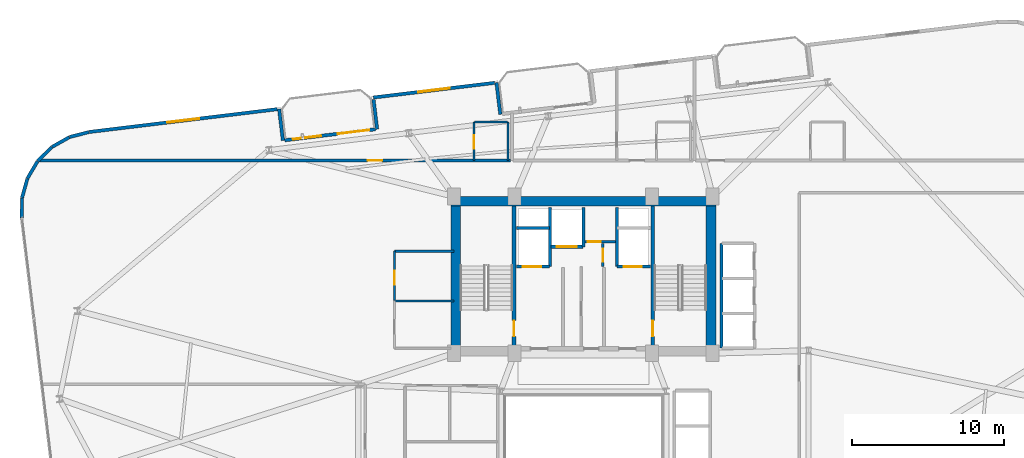
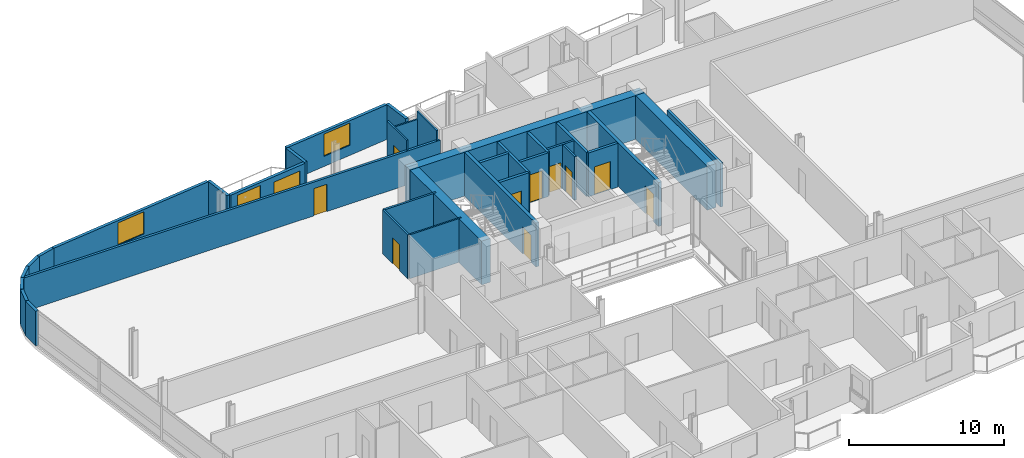
# One storey, part 17 of 23: 34 walls, 11 doors, 3 windows, 14 openings.
"""IFC4 building model written with IfcOpenShell, lengths in metres."""

from ifc_helpers import new_model, si_unit, direction, frame, frame_2d, origin, place, context, subcontext, project, spatial, rectangle, extrude, material, layer, layer_set, type_object, element, fill, save


model = new_model("IFC4")

# Units and contexts
model_context = context("Model", 3, precision=1e-05, world=origin(), true_north=direction((0.0, 1.0)))
body_context = subcontext(model_context, "Body", "Model", "MODEL_VIEW")
ifc_project = project(units=[si_unit("LENGTHUNIT", "METRE"), si_unit("AREAUNIT", "SQUARE_METRE"), si_unit("VOLUMEUNIT", "CUBIC_METRE"), si_unit("PLANEANGLEUNIT", "RADIAN"), si_unit("MASSUNIT", "GRAM", prefix="KILO")], contexts=[model_context])

# Site, building, storey
site_placement = place(None, origin())
site = spatial("IfcSite", under=ifc_project, at=site_placement, CompositionType="ELEMENT")
building_placement = place(site_placement, origin())
building = spatial("IfcBuilding", under=site, at=building_placement, Name="Varnelok Gate Tower", CompositionType="ELEMENT")
storey_placement = place(building_placement, frame((0.0, 0.0, 174.60009765625)))
storey = spatial("IfcBuildingStorey", under=building, at=storey_placement, Name="L44", CompositionType="ELEMENT", Elevation=174.60009765625)

# Wall, openings, door, window
ifc_material_1 = material(Name="Concrete C45/55", Category="concrete")
ifc_layer_1 = layer(ifc_material_1, 0.219970703125)
ifc_layer_set_1 = layer_set([ifc_layer_1], Name="Concrete C45/55")
wall_type_1 = type_object("IfcWallType", Name="EW-BALC-220", PredefinedType="SOLIDWALL", material=ifc_layer_set_1)
wall_1_placement = place(storey_placement, frame((19.556884765625, 42.7529296875, 0.0), z_axis=(0.0, 0.0, 1.0), x_axis=(0.992729951822, 0.120362962556, 0.0)))
wall_1 = element("IfcWall", 1, at=wall_1_placement, inside=storey, type_object=wall_type_1, Name="L44 North Terrace Envelope Wall 4", PredefinedType="SOLIDWALL", context=body_context, shape_type="SweptSolid", body=[
    extrude(rectangle(XDim=6.0, YDim=0.219970703125, at=frame_2d((3.0, 0.0))), origin(), (0.0, 0.0, 1.0), 2.72998046875),
])
opening_1_placement = place(wall_1_placement, frame((3.5, 0.0, 0.0)))
opening_1 = element("IfcOpeningElement", 2, at=opening_1_placement, cuts=wall_1, Name="Opening BD-2", PredefinedType="OPENING", context=body_context, shape_type="SweptSolid", body=[
    extrude(rectangle(XDim=2.10009765625, YDim=2.300048828125, at=frame_2d((1.050048828125, 1.14990234375))), frame((0.0, 0.119873046875, 0.0), z_axis=(0.0, -1.0, 0.0), x_axis=(1.0, 0.0, 0.0)), (0.0, 0.0, 1.0), 0.239990234375),
])
opening_2_placement = place(wall_1_placement, frame((0.550048828125, 0.0, 0.75)))
opening_2 = element("IfcOpeningElement", 3, at=opening_2_placement, cuts=wall_1, Name="Opening WN5", PredefinedType="OPENING", context=body_context, shape_type="SweptSolid", body=[
    extrude(rectangle(XDim=1.85009765625, YDim=1.75, at=frame_2d((0.925048828125, 0.875))), frame((0.0, 0.119873046875, 0.0), z_axis=(0.0, -1.0, 0.0), x_axis=(1.0, 0.0, 0.0)), (0.0, 0.0, 1.0), 0.239990234375),
])
ifc_material_2 = material(Name="Anodized Aluminum Alloy 6063-T6", Category="aluminium")
door_type_1 = type_object("IfcDoorType", Name="DR-EXT-SLID2100", OperationType="SLIDING_TO_LEFT", PredefinedType="DOOR", material=ifc_material_2)
door_1_placement = place(opening_1_placement, origin())
door_1 = element("IfcDoor", 4, at=door_1_placement, inside=storey, type_object=door_type_1, Name="L44 North Balcony Glazed Door 4", OperationType="SLIDING_TO_LEFT", OverallHeight=2.300048828125, OverallWidth=2.10009765625, PredefinedType="DOOR", context=body_context, shape_type="SweptSolid", body=[
    extrude(rectangle(XDim=2.10009765625, YDim=2.300048828125, at=frame_2d((1.050048828125, 1.14990234375))), frame((0.0, 0.02490234375, 0.0), z_axis=(0.0, -1.0, 0.0), x_axis=(1.0, 0.0, 0.0)), (0.0, 0.0, 1.0), 0.050048828125),
])
fill(opening_1, door_1)
ifc_material_3 = material(Name="Low-E Laminated Double Glazing IGU", Category="glass")
window_type_1 = type_object("IfcWindowType", Name="WN-RES-1850", PartitioningType="SINGLE_PANEL", PredefinedType="WINDOW", material=ifc_material_3)
window_1_placement = place(opening_2_placement, origin())
window_1 = element("IfcWindow", 5, at=window_1_placement, inside=storey, type_object=window_type_1, Name="L44 North Vision Window 4.1", OverallHeight=1.75, OverallWidth=1.85009765625, PartitioningType="SINGLE_PANEL", PredefinedType="WINDOW", context=body_context, shape_type="SweptSolid", body=[
    extrude(rectangle(XDim=1.85009765625, YDim=1.75, at=frame_2d((0.925048828125, 0.875))), frame((0.0, 0.030029296875, 0.0), z_axis=(0.0, -1.0, 0.0), x_axis=(1.0, 0.0, 0.0)), (0.0, 0.0, 1.0), 0.06005859375),
])
fill(opening_2, window_1)

# Wall
wall_2_placement = place(storey_placement, frame((33.734375, 44.46142578125, 0.0), z_axis=(0.0, 0.0, 1.0), x_axis=(-0.120327895535, 0.992734202874, 0.0)))
element("IfcWall", 6, at=wall_2_placement, inside=storey, type_object=wall_type_1, Name="L44 Perimeter Facade Closure Wall 34", PredefinedType="SOLIDWALL", context=body_context, shape_type="SweptSolid", body=[
    extrude(rectangle(XDim=2.099853515625, YDim=0.219970703125, at=frame_2d((1.0498046875, 0.0))), origin(), (0.0, 0.0, 1.0), 2.72998046875),
])

# Wall, opening, window
wall_3_placement = place(storey_placement, frame((33.357421875, 46.53125, 0.0), z_axis=(0.0, 0.0, 1.0), x_axis=(-0.992731032022, -0.120354052946, 0.0)))
wall_3 = element("IfcWall", 7, at=wall_3_placement, inside=storey, type_object=wall_type_1, Name="L44 Perimeter Facade Closure Wall 35", PredefinedType="SOLIDWALL", context=body_context, shape_type="SweptSolid", body=[
    extrude(rectangle(XDim=8.034912109375, YDim=0.219970703125, at=frame_2d((4.017578125, 0.0))), origin(), (0.0, 0.0, 1.0), 2.72998046875),
])
opening_3_placement = place(wall_3_placement, frame((2.967529296875, 0.0, 0.800048828125)))
opening_3 = element("IfcOpeningElement", 8, at=opening_3_placement, cuts=wall_3, Name="Opening WN4", PredefinedType="OPENING", context=body_context, shape_type="SweptSolid", body=[
    extrude(rectangle(XDim=2.10009765625, YDim=1.75, at=frame_2d((1.050048828125, 0.875))), frame((0.0, 0.119873046875, 0.0), z_axis=(0.0, -1.0, 0.0), x_axis=(1.0, 0.0, 0.0)), (0.0, 0.0, 1.0), 0.239990234375),
])
window_type_2 = type_object("IfcWindowType", Name="WN-SUI-2100", PartitioningType="SINGLE_PANEL", PredefinedType="WINDOW", material=ifc_material_3)
window_2_placement = place(opening_3_placement, origin())
window_2 = element("IfcWindow", 9, at=window_2_placement, inside=storey, type_object=window_type_2, Name="L44 Perimeter Vision Window 35", OverallHeight=1.75, OverallWidth=2.10009765625, PartitioningType="SINGLE_PANEL", PredefinedType="WINDOW", context=body_context, shape_type="SweptSolid", body=[
    extrude(rectangle(XDim=2.10009765625, YDim=1.75, at=frame_2d((1.050048828125, 0.875))), frame((0.0, 0.030029296875, 0.0), z_axis=(0.0, -1.0, 0.0), x_axis=(1.0, 0.0, 0.0)), (0.0, 0.0, 1.0), 0.06005859375),
])
fill(opening_3, window_2)

# Walls
wall_4_placement = place(storey_placement, frame((25.39599609375, 45.440185546875, 0.0), z_axis=(0.0, 0.0, 1.0), x_axis=(0.120275992932, -0.992740492538, 0.0)))
element("IfcWall", 10, at=wall_4_placement, inside=storey, type_object=wall_type_1, Name="L44 Perimeter Facade Closure Wall 36", PredefinedType="SOLIDWALL", context=body_context, shape_type="SweptSolid", body=[
    extrude(rectangle(XDim=1.97509765625, YDim=0.219970703125, at=frame_2d((0.987548828125, 0.0))), origin(), (0.0, 0.0, 1.0), 2.72998046875),
])
wall_5_placement = place(storey_placement, frame((19.43896484375, 42.728515625, 0.0), z_axis=(0.0, 0.0, 1.0), x_axis=(-0.120327895535, 0.992734202874, 0.0)))
element("IfcWall", 11, at=wall_5_placement, inside=storey, type_object=wall_type_1, Name="L44 Perimeter Facade Closure Wall 37", PredefinedType="SOLIDWALL", context=body_context, shape_type="SweptSolid", body=[
    extrude(rectangle(XDim=2.099853515625, YDim=0.219970703125, at=frame_2d((1.0498046875, 0.0))), origin(), (0.0, 0.0, 1.0), 2.72998046875),
])

# Wall, opening, window
wall_6_placement = place(storey_placement, frame((19.06201171875, 44.798095703125, 0.0), z_axis=(0.0, 0.0, 1.0), x_axis=(-0.992733569027, -0.120333124809, 0.0)))
wall_6 = element("IfcWall", 12, at=wall_6_placement, inside=storey, type_object=wall_type_1, Name="L44 Perimeter Facade Closure Wall 38", PredefinedType="SOLIDWALL", context=body_context, shape_type="SweptSolid", body=[
    extrude(rectangle(XDim=12.447021484375, YDim=0.219970703125, at=frame_2d((6.2236328125, 0.0))), origin(), (0.0, 0.0, 1.0), 2.72998046875),
])
opening_4_placement = place(wall_6_placement, frame((5.173583984375, 0.0, 0.800048828125)))
opening_4 = element("IfcOpeningElement", 13, at=opening_4_placement, cuts=wall_6, Name="Opening WN4", PredefinedType="OPENING", context=body_context, shape_type="SweptSolid", body=[
    extrude(rectangle(XDim=2.10009765625, YDim=1.75, at=frame_2d((1.050048828125, 0.875))), frame((0.0, 0.119873046875, 0.0), z_axis=(0.0, -1.0, 0.0), x_axis=(1.0, 0.0, 0.0)), (0.0, 0.0, 1.0), 0.239990234375),
])
window_3_placement = place(opening_4_placement, origin())
window_3 = element("IfcWindow", 14, at=window_3_placement, inside=storey, type_object=window_type_2, Name="L44 Perimeter Vision Window 38", OverallHeight=1.75, OverallWidth=2.10009765625, PartitioningType="SINGLE_PANEL", PredefinedType="WINDOW", context=body_context, shape_type="SweptSolid", body=[
    extrude(rectangle(XDim=2.10009765625, YDim=1.75, at=frame_2d((1.050048828125, 0.875))), frame((0.0, 0.030029296875, 0.0), z_axis=(0.0, -1.0, 0.0), x_axis=(1.0, 0.0, 0.0)), (0.0, 0.0, 1.0), 0.06005859375),
])
fill(opening_4, window_3)

# Walls
wall_7_placement = place(storey_placement, frame((6.68115234375, 43.294189453125, 0.0), z_axis=(0.0, 0.0, 1.0), x_axis=(-0.968496788899, -0.2490260426, 0.0)))
element("IfcWall", 15, at=wall_7_placement, inside=storey, type_object=wall_type_1, Name="L44 Perimeter Facade Closure Wall 39", PredefinedType="SOLIDWALL", context=body_context, shape_type="SweptSolid", body=[
    extrude(rectangle(XDim=1.308837890625, YDim=0.219970703125, at=frame_2d((0.654296875, 0.0))), origin(), (0.0, 0.0, 1.0), 2.72998046875),
])
for number, where, z_axis, x_axis, name in (
    (16, (5.391845703125, 42.9560546875, 0.0), (0.0, 0.0, 1.0), (-0.87105877335, -0.491178799797, 0.0), "L44 Perimeter Facade Closure Wall 40"),
    (17, (4.24072265625, 42.299560546875, 0.0), (0.0, 0.0, 1.0), (-0.714389219205, -0.699748557329, 0.0), "L44 Perimeter Facade Closure Wall 41"),
):
    element("IfcWall", number, at=place(storey_placement, frame(where, z_axis=z_axis, x_axis=x_axis)), inside=storey, type_object=wall_type_1, Name=name, PredefinedType="SOLIDWALL", context=body_context, shape_type="SweptSolid", body=[
        extrude(rectangle(XDim=1.30078125, YDim=0.219970703125, at=frame_2d((0.650390625, 0.0))), origin(), (0.0, 0.0, 1.0), 2.72998046875),
    ])
wall_8_placement = place(storey_placement, frame((3.298583984375, 41.367919921875, 0.0), z_axis=(0.0, 0.0, 1.0), x_axis=(-0.508716668029, -0.860933999601, 0.0)))
element("IfcWall", 18, at=wall_8_placement, inside=storey, type_object=wall_type_1, Name="L44 Perimeter Facade Closure Wall 42", PredefinedType="SOLIDWALL", context=body_context, shape_type="SweptSolid", body=[
    extrude(rectangle(XDim=1.301025390625, YDim=0.219970703125, at=frame_2d((0.650390625, 0.0))), origin(), (0.0, 0.0, 1.0), 2.72998046875),
])
for number, where, z_axis, x_axis, name in (
    (19, (2.630126953125, 40.223876953125, 0.0), (0.0, 0.0, 1.0), (-0.26876657226, -0.963205341366, 0.0), "L44 Perimeter Facade Closure Wall 43"),
    (20, (2.2802734375, 38.94580078125, 0.0), (0.0, 0.0, 1.0), (-0.01013461463, -0.999948643474, 0.0), "L44 Perimeter Facade Closure Wall 44"),
):
    element("IfcWall", number, at=place(storey_placement, frame(where, z_axis=z_axis, x_axis=x_axis)), inside=storey, type_object=wall_type_1, Name=name, PredefinedType="SOLIDWALL", context=body_context, shape_type="SweptSolid", body=[
        extrude(rectangle(XDim=1.30078125, YDim=0.219970703125, at=frame_2d((0.650390625, 0.0))), origin(), (0.0, 0.0, 1.0), 2.72998046875),
    ])

# Wall, opening, door
ifc_material_4 = material(Name="Gypsum Plasterboard Acoustic Partition", Category="gypsum")
ifc_layer_2 = layer(ifc_material_4, 0.179931640625)
ifc_layer_set_2 = layer_set([ifc_layer_2], Name="Gypsum Plasterboard Acoustic Partition")
wall_type_2 = type_object("IfcWallType", Name="PW-CORR-180", PredefinedType="PARTITIONING", material=ifc_layer_set_2)
wall_9_placement = place(storey_placement, frame((3.39306640625, 41.429931640625, 0.0), z_axis=(0.0, 0.0, 1.0), x_axis=(1.0, 0.0, 0.0)))
wall_9 = element("IfcWall", 21, at=wall_9_placement, inside=storey, type_object=wall_type_2, Name="Interior Partition", PredefinedType="PARTITIONING", context=body_context, shape_type="SweptSolid", body=[
    extrude(rectangle(XDim=31.02685546875, YDim=0.179931640625, at=frame_2d((15.513427734375, 0.0))), origin(), (0.0, 0.0, 1.0), 2.661865234375),
])
opening_5_placement = place(wall_9_placement, frame((21.621337890625, 0.0, 0.0)))
opening_5 = element("IfcOpeningElement", 22, at=opening_5_placement, cuts=wall_9, Name="Opening D-HT", PredefinedType="OPENING", context=body_context, shape_type="SweptSolid", body=[
    extrude(rectangle(XDim=0.949951171875, YDim=2.14990234375, at=frame_2d((0.47509765625, 1.074951171875))), frame((0.0, 0.099853515625, 0.0), z_axis=(0.0, -1.0, 0.0), x_axis=(1.0, 0.0, 0.0)), (0.0, 0.0, 1.0), 0.199951171875),
])
ifc_material_5 = material(Name="Engineered Hardwood Timber", Category="wood")
door_type_2 = type_object("IfcDoorType", Name="DR-HTL-950", OperationType="NOTDEFINED", PredefinedType="DOOR", material=ifc_material_5)
door_2_placement = place(opening_5_placement, origin())
door_2 = element("IfcDoor", 23, at=door_2_placement, inside=storey, type_object=door_type_2, Name="L44 Guest Room 07 Entrance Door", OperationType="SINGLE_SWING_RIGHT", OverallHeight=2.14990234375, OverallWidth=0.949951171875, PredefinedType="DOOR", context=body_context, shape_type="SweptSolid", body=[
    extrude(rectangle(XDim=0.949951171875, YDim=2.14990234375, at=frame_2d((0.47509765625, 1.074951171875))), frame((0.0, 0.02490234375, 0.0), z_axis=(0.0, -1.0, 0.0), x_axis=(1.0, 0.0, 0.0)), (0.0, 0.0, 1.0), 0.050048828125),
])
fill(opening_5, door_2)

# Wall
ifc_layer_3 = layer(ifc_material_4, 0.114990234375)
ifc_layer_set_3 = layer_set([ifc_layer_3], Name="Gypsum Plasterboard Acoustic Partition")
wall_type_3 = type_object("IfcWallType", Name="PW-ENS-125", PredefinedType="PARTITIONING", material=ifc_layer_set_3)
wall_10_placement = place(storey_placement, frame((32.050048828125, 43.949951171875, 0.0), z_axis=(0.0, 0.0, 1.0), x_axis=(1.0, 0.0, 0.0)))
element("IfcWall", 24, at=wall_10_placement, inside=storey, type_object=wall_type_3, Name="Interior Partition", PredefinedType="PARTITIONING", context=body_context, shape_type="SweptSolid", body=[
    extrude(rectangle(XDim=2.14990234375, YDim=0.114990234375, at=frame_2d((1.074951171875, 0.0))), origin(), (0.0, 0.0, 1.0), 2.823974609375),
])

# Wall, opening, door
wall_11_placement = place(storey_placement, frame((32.010009765625, 41.429931640625, 0.0), z_axis=(0.0, 0.0, 1.0), x_axis=(0.0, 1.0, 0.0)))
wall_11 = element("IfcWall", 25, at=wall_11_placement, inside=storey, type_object=wall_type_3, Name="Interior Partition", PredefinedType="PARTITIONING", context=body_context, shape_type="SweptSolid", body=[
    extrude(rectangle(XDim=2.52001953125, YDim=0.114990234375, at=frame_2d((1.260009765625, 0.0))), origin(), (0.0, 0.0, 1.0), 3.449951171875),
])
opening_6_placement = place(wall_11_placement, frame((0.760009765625, 0.0, 0.0)))
opening_6 = element("IfcOpeningElement", 26, at=opening_6_placement, cuts=wall_11, Name="Opening D-WC", PredefinedType="OPENING", context=body_context, shape_type="SweptSolid", body=[
    extrude(rectangle(XDim=0.89990234375, YDim=2.050048828125, at=frame_2d((0.449951171875, 1.02490234375))), frame((0.0, 0.0673828125, 0.0), z_axis=(0.0, -1.0, 0.0), x_axis=(1.0, 0.0, 0.0)), (0.0, 0.0, 1.0), 0.135009765625),
])
door_type_3 = type_object("IfcDoorType", Name="DR-BATH-900", OperationType="NOTDEFINED", PredefinedType="DOOR", material=ifc_material_5)
door_3_placement = place(opening_6_placement, origin())
door_3 = element("IfcDoor", 27, at=door_3_placement, inside=storey, type_object=door_type_3, Name="L44 North En-Suite 07 Door", OperationType="SINGLE_SWING_LEFT", OverallHeight=2.050048828125, OverallWidth=0.89990234375, PredefinedType="DOOR", context=body_context, shape_type="SweptSolid", body=[
    extrude(rectangle(XDim=0.89990234375, YDim=2.050048828125, at=frame_2d((0.449951171875, 1.02490234375))), frame((0.0, 0.02490234375, 0.0), z_axis=(0.0, -1.0, 0.0), x_axis=(1.0, 0.0, 0.0)), (0.0, 0.0, 1.0), 0.050048828125),
])
fill(opening_6, door_3)

# Walls
wall_12_placement = place(storey_placement, frame((34.239990234375, 41.429931640625, 0.0), z_axis=(0.0, 0.0, 1.0), x_axis=(0.0, 1.0, 0.0)))
element("IfcWall", 28, at=wall_12_placement, inside=storey, type_object=wall_type_3, Name="Interior Partition", PredefinedType="PARTITIONING", context=body_context, shape_type="SweptSolid", body=[
    extrude(rectangle(XDim=2.52001953125, YDim=0.114990234375, at=frame_2d((1.260009765625, 0.0))), origin(), (0.0, 0.0, 1.0), 3.449951171875),
])
wall_13_placement = place(storey_placement, frame((26.800048828125, 32.18994140625, 0.0), z_axis=(0.0, 0.0, 1.0), x_axis=(1.0, 0.0, 0.0)))
element("IfcWall", 29, at=wall_13_placement, inside=storey, type_object=wall_type_3, Name="Interior Partition", PredefinedType="PARTITIONING", context=body_context, shape_type="SweptSolid", body=[
    extrude(rectangle(XDim=3.8798828125, YDim=0.114990234375, at=frame_2d((1.93994140625, 0.0))), origin(), (0.0, 0.0, 1.0), 3.449951171875),
])

# Wall, opening, door
ifc_layer_4 = layer(ifc_material_4, 0.14990234375)
ifc_layer_set_4 = layer_set([ifc_layer_4], Name="Gypsum Plasterboard Acoustic Partition")
wall_type_4 = type_object("IfcWallType", Name="PW-PART-150", PredefinedType="PARTITIONING", material=ifc_layer_set_4)
wall_14_placement = place(storey_placement, frame((39.300048828125, 36.080078125, 0.0), z_axis=(0.0, 0.0, 1.0), x_axis=(1.0, 0.0, 0.0)))
wall_14 = element("IfcWall", 30, at=wall_14_placement, inside=storey, type_object=wall_type_4, Name="L44 Electrical Closet South Wall", PredefinedType="PARTITIONING", context=body_context, shape_type="SweptSolid", body=[
    extrude(rectangle(XDim=2.02001953125, YDim=0.14990234375, at=frame_2d((1.010009765625, 0.0))), origin(), (0.0, 0.0, 1.0), 3.449951171875),
])
opening_7_placement = place(wall_14_placement, frame((0.179931640625, 0.0, 0.0)))
opening_7 = element("IfcOpeningElement", 31, at=opening_7_placement, cuts=wall_14, Name="Opening D-RS", PredefinedType="OPENING", context=body_context, shape_type="SweptSolid", body=[
    extrude(rectangle(XDim=0.85009765625, YDim=2.050048828125, at=frame_2d((0.425048828125, 1.02490234375))), frame((0.0, 0.0849609375, 0.0), z_axis=(0.0, -1.0, 0.0), x_axis=(1.0, 0.0, 0.0)), (0.0, 0.0, 1.0), 0.169921875),
])
ifc_material_6 = material(Name="Galvanized Steel Grade S350GD", Category="steel")
door_type_4 = type_object("IfcDoorType", Name="DR-RISER-850", OperationType="NOTDEFINED", PredefinedType="DOOR", material=ifc_material_6)
door_4_placement = place(opening_7_placement, origin())
door_4 = element("IfcDoor", 32, at=door_4_placement, inside=storey, type_object=door_type_4, Name="L44 Electrical Closet Door", OperationType="SINGLE_SWING_RIGHT", OverallHeight=2.050048828125, OverallWidth=0.85009765625, PredefinedType="DOOR", context=body_context, shape_type="SweptSolid", body=[
    extrude(rectangle(XDim=0.85009765625, YDim=2.050048828125, at=frame_2d((0.425048828125, 1.02490234375))), frame((0.0, 0.02490234375, 0.0), z_axis=(0.0, -1.0, 0.0), x_axis=(1.0, 0.0, 0.0)), (0.0, 0.0, 1.0), 0.050048828125),
])
fill(opening_7, door_4)

wall_15_placement = place(storey_placement, frame((40.47998046875, 34.43994140625, 0.0), z_axis=(0.0, 0.0, 1.0), x_axis=(0.0, 1.0, 0.0)))
wall_15 = element("IfcWall", 33, at=wall_15_placement, inside=storey, type_object=wall_type_4, Name="L44 Telecoms Closet West Wall", PredefinedType="PARTITIONING", context=body_context, shape_type="SweptSolid", body=[
    extrude(rectangle(XDim=1.52001953125, YDim=0.14990234375, at=frame_2d((0.760009765625, 0.0))), origin(), (0.0, 0.0, 1.0), 3.449951171875),
])
opening_8_placement = place(wall_15_placement, frame((0.320068359375, 0.0, 0.0)))
opening_8 = element("IfcOpeningElement", 34, at=opening_8_placement, cuts=wall_15, Name="Opening D-RS", PredefinedType="OPENING", context=body_context, shape_type="SweptSolid", body=[
    extrude(rectangle(XDim=0.85009765625, YDim=2.050048828125, at=frame_2d((0.425048828125, 1.02490234375))), frame((0.0, 0.0849609375, 0.0), z_axis=(0.0, -1.0, 0.0), x_axis=(1.0, 0.0, 0.0)), (0.0, 0.0, 1.0), 0.169921875),
])
door_5_placement = place(opening_8_placement, origin())
door_5 = element("IfcDoor", 35, at=door_5_placement, inside=storey, type_object=door_type_4, Name="L44 Telecoms Closet Door", OperationType="SINGLE_SWING_LEFT", OverallHeight=2.050048828125, OverallWidth=0.85009765625, PredefinedType="DOOR", context=body_context, shape_type="SweptSolid", body=[
    extrude(rectangle(XDim=0.85009765625, YDim=2.050048828125, at=frame_2d((0.425048828125, 1.02490234375))), frame((0.0, 0.02490234375, 0.0), z_axis=(0.0, -1.0, 0.0), x_axis=(1.0, 0.0, 0.0)), (0.0, 0.0, 1.0), 0.050048828125),
])
fill(opening_8, door_5)

# Wall
wall_16_placement = place(storey_placement, frame((26.780029296875, 35.4599609375, 0.0), z_axis=(0.0, 0.0, 1.0), x_axis=(1.0, 0.0, 0.0)))
element("IfcWall", 36, at=wall_16_placement, inside=storey, type_object=wall_type_4, Name="Interior Partition", PredefinedType="PARTITIONING", context=body_context, shape_type="SweptSolid", body=[
    extrude(rectangle(XDim=3.89990234375, YDim=0.14990234375, at=frame_2d((1.949951171875, 0.0))), origin(), (0.0, 0.0, 1.0), 3.449951171875),
])

# Wall, opening, door
wall_17_placement = place(storey_placement, frame((26.780029296875, 32.18994140625, 0.0), z_axis=(0.0, 0.0, 1.0), x_axis=(0.0, 1.0, 0.0)))
wall_17 = element("IfcWall", 37, at=wall_17_placement, inside=storey, type_object=wall_type_4, Name="Interior Partition", PredefinedType="PARTITIONING", context=body_context, shape_type="SweptSolid", body=[
    extrude(rectangle(XDim=3.27001953125, YDim=0.14990234375, at=frame_2d((1.635009765625, 0.0))), origin(), (0.0, 0.0, 1.0), 3.449951171875),
])
opening_9_placement = place(wall_17_placement, frame((1.050048828125, 0.0, 0.0)))
opening_9 = element("IfcOpeningElement", 38, at=opening_9_placement, cuts=wall_17, Name="Opening D-I3", PredefinedType="OPENING", context=body_context, shape_type="SweptSolid", body=[
    extrude(rectangle(XDim=0.919921875, YDim=2.050048828125, at=frame_2d((0.4599609375, 1.02490234375))), frame((0.0, 0.0849609375, 0.0), z_axis=(0.0, -1.0, 0.0), x_axis=(1.0, 0.0, 0.0)), (0.0, 0.0, 1.0), 0.169921875),
])
door_type_5 = type_object("IfcDoorType", Name="DR-INT-920", OperationType="NOTDEFINED", PredefinedType="DOOR", material=ifc_material_5)
door_6_placement = place(opening_9_placement, origin())
door_6 = element("IfcDoor", 39, at=door_6_placement, inside=storey, type_object=door_type_5, Name="L44 Core Pantry Door", OperationType="SINGLE_SWING_RIGHT", OverallHeight=2.050048828125, OverallWidth=0.919921875, PredefinedType="DOOR", context=body_context, shape_type="SweptSolid", body=[
    extrude(rectangle(XDim=0.919921875, YDim=2.050048828125, at=frame_2d((0.4599609375, 1.02490234375))), frame((0.0, 0.02490234375, 0.0), z_axis=(0.0, -1.0, 0.0), x_axis=(1.0, 0.0, 0.0)), (0.0, 0.0, 1.0), 0.050048828125),
])
fill(opening_9, door_6)

ifc_material_7 = material(Name="Concrete C35/45", Category="concrete")
ifc_layer_5 = layer(ifc_material_7, 0.199951171875)
ifc_layer_set_5 = layer_set([ifc_layer_5], Name="Concrete C35/45")
wall_type_5 = type_object("IfcWallType", Name="PW-SHAFT-200", PredefinedType="PARTITIONING", material=ifc_layer_set_5)
wall_18_placement = place(storey_placement, frame((34.800048828125, 34.43994140625, 0.0), z_axis=(0.0, 0.0, 1.0), x_axis=(1.0, 0.0, 0.0)))
wall_18 = element("IfcWall", 40, at=wall_18_placement, inside=storey, type_object=wall_type_5, Name="L44 FF1 Shaft Front Wall", PredefinedType="PARTITIONING", context=body_context, shape_type="SweptSolid", body=[
    extrude(rectangle(XDim=2.179931640625, YDim=0.199951171875, at=frame_2d((1.08984375, 0.0))), origin(), (0.0, 0.0, 1.0), 3.449951171875),
])
opening_10_placement = place(wall_18_placement, frame((0.419921875, 0.0, 0.0)))
opening_10 = element("IfcOpeningElement", 41, at=opening_10_placement, cuts=wall_18, Name="Opening LD-FF1", PredefinedType="OPENING", context=body_context, shape_type="SweptSolid", body=[
    extrude(rectangle(XDim=1.199951171875, YDim=2.199951171875, at=frame_2d((0.60009765625, 1.10009765625))), frame((0.0, 0.10986328125, 0.0), z_axis=(0.0, -1.0, 0.0), x_axis=(1.0, 0.0, 0.0)), (0.0, 0.0, 1.0), 0.219970703125),
])
door_type_6 = type_object("IfcDoorType", Name="DR-LIFT-FF1200", OperationType="SLIDING_TO_LEFT", PredefinedType="DOOR", material=ifc_material_6)
door_7_placement = place(opening_10_placement, origin())
door_7 = element("IfcDoor", 42, at=door_7_placement, inside=storey, type_object=door_type_6, Name="L44 Firefighting Lift Landing Door LD-FF1", OperationType="SLIDING_TO_LEFT", OverallHeight=2.199951171875, OverallWidth=1.199951171875, PredefinedType="DOOR", context=body_context, shape_type="SweptSolid", body=[
    extrude(rectangle(XDim=1.199951171875, YDim=2.199951171875, at=frame_2d((0.60009765625, 1.10009765625))), frame((0.0, 0.02490234375, 0.0), z_axis=(0.0, -1.0, 0.0), x_axis=(1.0, 0.0, 0.0)), (0.0, 0.0, 1.0), 0.050048828125),
])
fill(opening_10, door_7)

# Walls
wall_19_placement = place(storey_placement, frame((34.800048828125, 36.97998046875, 0.0), z_axis=(0.0, 0.0, 1.0), x_axis=(1.0, 0.0, 0.0)))
element("IfcWall", 43, at=wall_19_placement, inside=storey, type_object=wall_type_5, Name="L44 FF1 Shaft North Wall", PredefinedType="PARTITIONING", context=body_context, shape_type="SweptSolid", body=[
    extrude(rectangle(XDim=2.179931640625, YDim=0.199951171875, at=frame_2d((1.08984375, 0.0))), origin(), (0.0, 0.0, 1.0), 3.449951171875),
])
wall_20_placement = place(storey_placement, frame((37.0, 34.43994140625, 0.0), z_axis=(0.0, 0.0, 1.0), x_axis=(0.0, 1.0, 0.0)))
element("IfcWall", 44, at=wall_20_placement, inside=storey, type_object=wall_type_5, Name="L44 FF1 Shaft Side Wall", PredefinedType="PARTITIONING", context=body_context, shape_type="SweptSolid", body=[
    extrude(rectangle(XDim=3.900146484375, YDim=0.199951171875, at=frame_2d((1.9501953125, 0.0))), origin(), (0.0, 0.0, 1.0), 3.449951171875),
])

# Wall, opening, door
wall_21_placement = place(storey_placement, frame((41.419921875, 34.43994140625, 0.0), z_axis=(0.0, 0.0, 1.0), x_axis=(1.0, 0.0, 0.0)))
wall_21 = element("IfcWall", 45, at=wall_21_placement, inside=storey, type_object=wall_type_5, Name="L44 FF2 Shaft Front Wall", PredefinedType="PARTITIONING", context=body_context, shape_type="SweptSolid", body=[
    extrude(rectangle(XDim=2.18017578125, YDim=0.199951171875, at=frame_2d((1.090087890625, 0.0))), origin(), (0.0, 0.0, 1.0), 3.449951171875),
])
opening_11_placement = place(wall_21_placement, frame((0.419921875, 0.0, 0.0)))
opening_11 = element("IfcOpeningElement", 46, at=opening_11_placement, cuts=wall_21, Name="Opening LD-FF2", PredefinedType="OPENING", context=body_context, shape_type="SweptSolid", body=[
    extrude(rectangle(XDim=1.199951171875, YDim=2.199951171875, at=frame_2d((0.60009765625, 1.10009765625))), frame((0.0, 0.10986328125, 0.0), z_axis=(0.0, -1.0, 0.0), x_axis=(1.0, 0.0, 0.0)), (0.0, 0.0, 1.0), 0.219970703125),
])
door_8_placement = place(opening_11_placement, origin())
door_8 = element("IfcDoor", 47, at=door_8_placement, inside=storey, type_object=door_type_6, Name="L44 Firefighting Lift Landing Door LD-FF2", OperationType="SLIDING_TO_LEFT", OverallHeight=2.199951171875, OverallWidth=1.199951171875, PredefinedType="DOOR", context=body_context, shape_type="SweptSolid", body=[
    extrude(rectangle(XDim=1.199951171875, YDim=2.199951171875, at=frame_2d((0.60009765625, 1.10009765625))), frame((0.0, 0.02490234375, 0.0), z_axis=(0.0, -1.0, 0.0), x_axis=(1.0, 0.0, 0.0)), (0.0, 0.0, 1.0), 0.050048828125),
])
fill(opening_11, door_8)

# Wall
wall_22_placement = place(storey_placement, frame((41.39990234375, 34.43994140625, 0.0), z_axis=(0.0, 0.0, 1.0), x_axis=(0.0, 1.0, 0.0)))
element("IfcWall", 48, at=wall_22_placement, inside=storey, type_object=wall_type_5, Name="L44 FF2 Shaft Side Wall", PredefinedType="PARTITIONING", context=body_context, shape_type="SweptSolid", body=[
    extrude(rectangle(XDim=3.900146484375, YDim=0.199951171875, at=frame_2d((1.9501953125, 0.0))), origin(), (0.0, 0.0, 1.0), 3.449951171875),
])

# Wall, opening, door
wall_23_placement = place(storey_placement, frame((37.06005859375, 35.75, 0.0), z_axis=(0.0, 0.0, 1.0), x_axis=(1.0, 0.0, 0.0)))
wall_23 = element("IfcWall", 49, at=wall_23_placement, inside=storey, type_object=wall_type_5, Name="L44 SV1 Shaft Front Wall", PredefinedType="PARTITIONING", context=body_context, shape_type="SweptSolid", body=[
    extrude(rectangle(XDim=2.119873046875, YDim=0.199951171875, at=frame_2d((1.06005859375, 0.0))), origin(), (0.0, 0.0, 1.0), 3.449951171875),
])
opening_12_placement = place(wall_23_placement, frame((0.39990234375, 0.0, 0.0)))
opening_12 = element("IfcOpeningElement", 50, at=opening_12_placement, cuts=wall_23, Name="Opening LD-SV1", PredefinedType="OPENING", context=body_context, shape_type="SweptSolid", body=[
    extrude(rectangle(XDim=1.300048828125, YDim=2.199951171875, at=frame_2d((0.64990234375, 1.10009765625))), frame((0.0, 0.10986328125, 0.0), z_axis=(0.0, -1.0, 0.0), x_axis=(1.0, 0.0, 0.0)), (0.0, 0.0, 1.0), 0.219970703125),
])
door_type_7 = type_object("IfcDoorType", Name="DR-LIFT-SV1300", OperationType="SLIDING_TO_LEFT", PredefinedType="DOOR", material=ifc_material_6)
door_9_placement = place(opening_12_placement, origin())
door_9 = element("IfcDoor", 51, at=door_9_placement, inside=storey, type_object=door_type_7, Name="L44 Service Lift Landing Door LD-SV1", OperationType="SLIDING_TO_LEFT", OverallHeight=2.199951171875, OverallWidth=1.300048828125, PredefinedType="DOOR", context=body_context, shape_type="SweptSolid", body=[
    extrude(rectangle(XDim=1.300048828125, YDim=2.199951171875, at=frame_2d((0.64990234375, 1.10009765625))), frame((0.0, 0.02490234375, 0.0), z_axis=(0.0, -1.0, 0.0), x_axis=(1.0, 0.0, 0.0)), (0.0, 0.0, 1.0), 0.050048828125),
])
fill(opening_12, door_9)

# Walls
wall_24_placement = place(storey_placement, frame((39.219970703125, 35.75, 0.0), z_axis=(0.0, 0.0, 1.0), x_axis=(0.0, 1.0, 0.0)))
element("IfcWall", 52, at=wall_24_placement, inside=storey, type_object=wall_type_5, Name="L44 SV1 Shaft East Wall", PredefinedType="PARTITIONING", context=body_context, shape_type="SweptSolid", body=[
    extrude(rectangle(XDim=2.590087890625, YDim=0.199951171875, at=frame_2d((1.294921875, 0.0))), origin(), (0.0, 0.0, 1.0), 3.449951171875),
])
wall_25_placement = place(storey_placement, frame((48.280029296875, 29.080078125, 0.0), z_axis=(0.0, 0.0, 1.0), x_axis=(0.0, 1.0, 0.0)))
element("IfcWall", 53, at=wall_25_placement, inside=storey, type_object=wall_type_5, Name="L44 PM Bank Back Wall", PredefinedType="PARTITIONING", context=body_context, shape_type="SweptSolid", body=[
    extrude(rectangle(XDim=6.889892578125, YDim=0.199951171875, at=frame_2d((3.44482421875, 0.0))), origin(), (0.0, 0.0, 1.0), 3.449951171875),
])
ifc_material_8 = material(Name="Concrete C60/75", Category="concrete")
ifc_layer_6 = layer(ifc_material_8, 0.64990234375)
ifc_layer_set_6 = layer_set([ifc_layer_6], Name="Concrete C60/75")
wall_type_6 = type_object("IfcWallType", Name="SW-CORE-650", PredefinedType="SHEAR", material=ifc_layer_set_6)
wall_26_placement = place(storey_placement, frame((30.47998046875, 38.7451171875, 0.0), z_axis=(0.0, 0.0, 1.0), x_axis=(1.0, 0.0, 0.0)))
element("IfcWall", 54, at=wall_26_placement, inside=storey, type_object=wall_type_6, Name="L44 Rear Core North Shear Wall", PredefinedType="SHEAR", context=body_context, shape_type="SweptSolid", body=[
    extrude(rectangle(XDim=17.43994140625, YDim=0.64990234375, at=frame_2d((8.719970703125, 0.0))), origin(), (0.0, 0.0, 1.0), 3.449951171875),
])
for number, where, z_axis, x_axis, name in (
    (55, (30.804931640625, 29.199951171875, 0.0), (0.0, 0.0, 1.0), (0.0, 1.0, 0.0), "L44 Rear Core West Shear Wall"),
    (56, (47.594970703125, 29.199951171875, 0.0), (0.0, 0.0, 1.0), (0.0, 1.0, 0.0), "L44 Rear Core East Shear Wall"),
):
    element("IfcWall", number, at=place(storey_placement, frame(where, z_axis=z_axis, x_axis=x_axis)), inside=storey, type_object=wall_type_6, Name=name, PredefinedType="SHEAR", context=body_context, shape_type="SweptSolid", body=[
        extrude(rectangle(XDim=9.219970703125, YDim=0.64990234375, at=frame_2d((4.60986328125, 0.0))), origin(), (0.0, 0.0, 1.0), 3.449951171875),
    ])

# Wall, opening, door
ifc_layer_7 = layer(ifc_material_8, 0.25)
ifc_layer_set_7 = layer_set([ifc_layer_7], Name="Concrete C60/75")
wall_type_7 = type_object("IfcWallType", Name="SW-SHAFT-250", PredefinedType="SHEAR", material=ifc_layer_set_7)
wall_27_placement = place(storey_placement, frame((34.639892578125, 29.199951171875, 0.0), z_axis=(0.0, 0.0, 1.0), x_axis=(0.0, 1.0, 0.0)))
wall_27 = element("IfcWall", 57, at=wall_27_placement, inside=storey, type_object=wall_type_7, Name="L44 Stair ST-1 East Shear Wall", PredefinedType="SHEAR", context=body_context, shape_type="SweptSolid", body=[
    extrude(rectangle(XDim=9.219970703125, YDim=0.25, at=frame_2d((4.60986328125, 0.0))), origin(), (0.0, 0.0, 1.0), 3.449951171875),
])
opening_13_placement = place(wall_27_placement, frame((0.64990234375, 0.0, 0.0)))
opening_13 = element("IfcOpeningElement", 58, at=opening_13_placement, cuts=wall_27, Name="Opening D-ST", PredefinedType="OPENING", context=body_context, shape_type="SweptSolid", body=[
    extrude(rectangle(XDim=1.050048828125, YDim=2.14990234375, at=frame_2d((0.52490234375, 1.074951171875))), frame((0.0, 0.135009765625, 0.0), z_axis=(0.0, -1.0, 0.0), x_axis=(1.0, 0.0, 0.0)), (0.0, 0.0, 1.0), 0.27001953125),
])
door_type_8 = type_object("IfcDoorType", Name="DR-STAIR-1050", OperationType="NOTDEFINED", PredefinedType="DOOR", material=ifc_material_6)
door_10_placement = place(opening_13_placement, origin())
door_10 = element("IfcDoor", 59, at=door_10_placement, inside=storey, type_object=door_type_8, Name="L44 Exit Stair ST-1 Fire Door", OperationType="SINGLE_SWING_LEFT", OverallHeight=2.14990234375, OverallWidth=1.050048828125, PredefinedType="DOOR", context=body_context, shape_type="SweptSolid", body=[
    extrude(rectangle(XDim=1.050048828125, YDim=2.14990234375, at=frame_2d((0.52490234375, 1.074951171875))), frame((0.0, 0.02490234375, 0.0), z_axis=(0.0, -1.0, 0.0), x_axis=(1.0, 0.0, 0.0)), (0.0, 0.0, 1.0), 0.050048828125),
])
fill(opening_13, door_10)

wall_28_placement = place(storey_placement, frame((43.760009765625, 29.199951171875, 0.0), z_axis=(0.0, 0.0, 1.0), x_axis=(0.0, 1.0, 0.0)))
wall_28 = element("IfcWall", 60, at=wall_28_placement, inside=storey, type_object=wall_type_7, Name="L44 Stair ST-2 West Shear Wall", PredefinedType="SHEAR", context=body_context, shape_type="SweptSolid", body=[
    extrude(rectangle(XDim=9.219970703125, YDim=0.25, at=frame_2d((4.60986328125, 0.0))), origin(), (0.0, 0.0, 1.0), 3.449951171875),
])
opening_14_placement = place(wall_28_placement, frame((0.64990234375, 0.0, 0.0)))
opening_14 = element("IfcOpeningElement", 61, at=opening_14_placement, cuts=wall_28, Name="Opening D-ST", PredefinedType="OPENING", context=body_context, shape_type="SweptSolid", body=[
    extrude(rectangle(XDim=1.050048828125, YDim=2.14990234375, at=frame_2d((0.52490234375, 1.074951171875))), frame((0.0, 0.135009765625, 0.0), z_axis=(0.0, -1.0, 0.0), x_axis=(1.0, 0.0, 0.0)), (0.0, 0.0, 1.0), 0.27001953125),
])
door_11_placement = place(opening_14_placement, origin())
door_11 = element("IfcDoor", 62, at=door_11_placement, inside=storey, type_object=door_type_8, Name="L44 Exit Stair ST-2 Fire Door", OperationType="SINGLE_SWING_RIGHT", OverallHeight=2.14990234375, OverallWidth=1.050048828125, PredefinedType="DOOR", context=body_context, shape_type="SweptSolid", body=[
    extrude(rectangle(XDim=1.050048828125, YDim=2.14990234375, at=frame_2d((0.52490234375, 1.074951171875))), frame((0.0, 0.02490234375, 0.0), z_axis=(0.0, -1.0, 0.0), x_axis=(1.0, 0.0, 0.0)), (0.0, 0.0, 1.0), 0.050048828125),
])
fill(opening_14, door_11)

save(model, "model.ifc")
